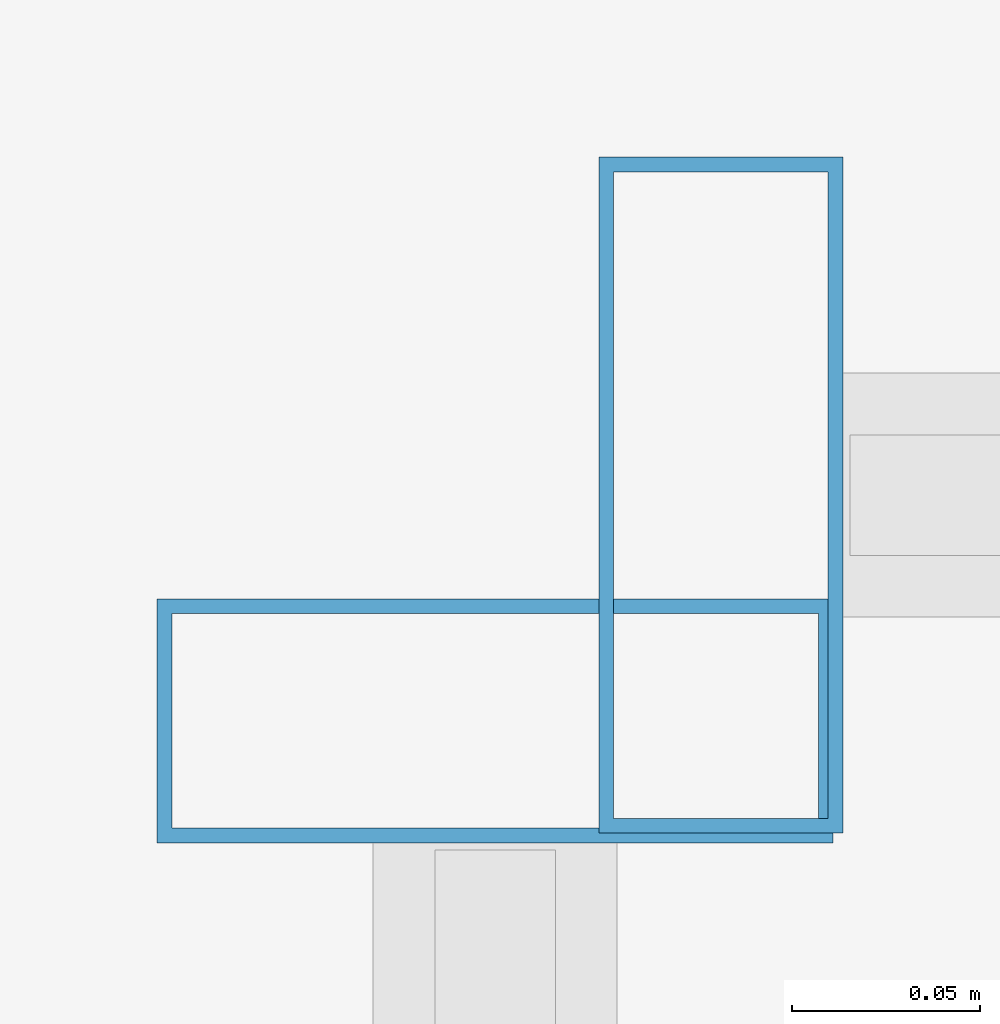
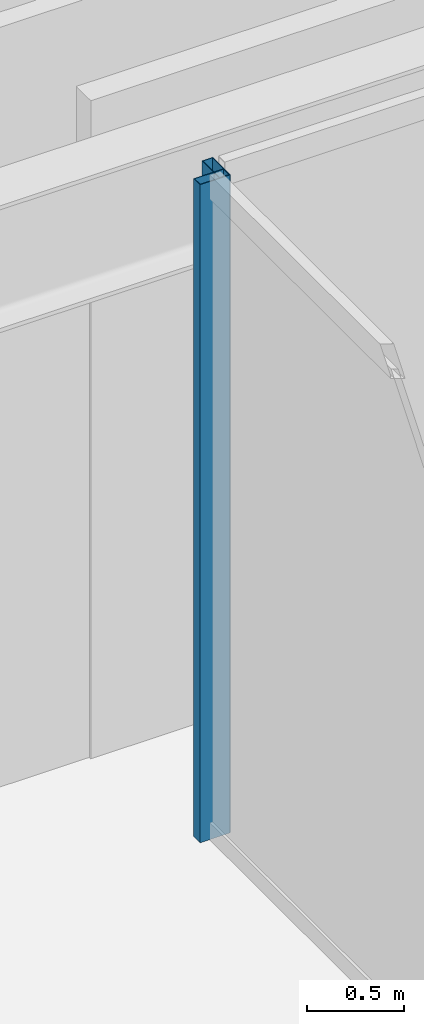
# One storey, part 24 of 47: 2 members, 2 elements without a shape of their own.
"""IFC4 building model written with IfcOpenShell, lengths in metres."""

from ifc_helpers import new_model, si_unit, direction, frame, origin, origin_2d, place, context, subcontext, project, spatial, hollow_rectangle, extrude, material, material_profile, profile_set, type_object, element, aggregate, save


model = new_model("IFC4")

# Units and contexts
model_context = context("Model", 3, precision=1e-05, world=origin(), true_north=direction((0.0, 1.0)))
body_context = subcontext(model_context, "Body", "Model", "MODEL_VIEW")
ifc_project = project(units=[si_unit("LENGTHUNIT", "METRE"), si_unit("AREAUNIT", "SQUARE_METRE"), si_unit("VOLUMEUNIT", "CUBIC_METRE"), si_unit("PLANEANGLEUNIT", "RADIAN"), si_unit("MASSUNIT", "GRAM", prefix="KILO")], contexts=[model_context])

# Site, building, storey
site_placement = place(None, origin())
site = spatial("IfcSite", under=ifc_project, at=site_placement, CompositionType="ELEMENT")
building_placement = place(site_placement, origin())
building = spatial("IfcBuilding", under=site, at=building_placement, Name="Saevonmaru Cultural Tower", CompositionType="ELEMENT")
storey_placement = place(building_placement, frame((0.0, 0.0, 42.800048828125)))
storey = spatial("IfcBuildingStorey", under=building, at=storey_placement, Name="L08", CompositionType="ELEMENT", Elevation=42.800048828125)

# Curtain wall, member
ifc_material = material(Name="Satin Bronze Anodised Aluminium", Category="aluminium")
curtain_wall_type = type_object("IfcCurtainWallType", Name="CW-ATR-GLZ", PredefinedType="NOTDEFINED", material=ifc_material)
curtain_wall_1_placement = place(storey_placement, origin())
curtain_wall_1 = element("IfcCurtainWall", 1, at=curtain_wall_1_placement, inside=storey, type_object=curtain_wall_type, Name="L08 Vertical Atrium Glazed Smoke Screen 3", PredefinedType="NOTDEFINED")
ifc_material_profile = material_profile(ifc_material, hollow_rectangle(XDim=0.06494140625, YDim=0.179931640625, WallThickness=0.00390625, at=origin_2d()), Name="ALU-MULL-180x65x4")
ifc_profile_set = profile_set([ifc_material_profile], Name="Satin Bronze Anodised Aluminium")
member_type = type_object("IfcMemberType", Name="ML-CW-INT-180x65", PredefinedType="MULLION", material=ifc_profile_set)
member_1_placement = place(storey_placement, frame((24.110107421875, 38.22998046875, 0.0), z_axis=(0.0, 0.0, 1.0), x_axis=(-1.0, 0.0, 0.0)))
member_1 = element("IfcMember", 2, at=member_1_placement, type_object=member_type, Name="CW-ATR-L08-3 mullion 2", PredefinedType="MULLION", context=body_context, shape_type="SweptSolid", body=[
    extrude(hollow_rectangle(XDim=0.06494140625, YDim=0.179931640625, WallThickness=0.00390625, at=origin_2d()), origin(), (0.0, 0.0, 1.0), 4.14990234375),
])
aggregate(curtain_wall_1, [member_1])

curtain_wall_2_placement = place(storey_placement, origin())
curtain_wall_2 = element("IfcCurtainWall", 3, at=curtain_wall_2_placement, inside=storey, type_object=curtain_wall_type, Name="L08 Vertical Atrium Glazed Smoke Screen 4", PredefinedType="NOTDEFINED")
member_2_placement = place(storey_placement, frame((24.050048828125, 38.169921875, 0.0), z_axis=(0.0, 0.0, 1.0), x_axis=(0.0, -1.0, 0.0)))
member_2 = element("IfcMember", 4, at=member_2_placement, type_object=member_type, Name="CW-ATR-L08-4 mullion 1", PredefinedType="MULLION", context=body_context, shape_type="SweptSolid", body=[
    extrude(hollow_rectangle(XDim=0.06494140625, YDim=0.179931640625, WallThickness=0.00390625, at=origin_2d()), origin(), (0.0, 0.0, 1.0), 4.14990234375),
])
aggregate(curtain_wall_2, [member_2])

save(model, "model.ifc")
